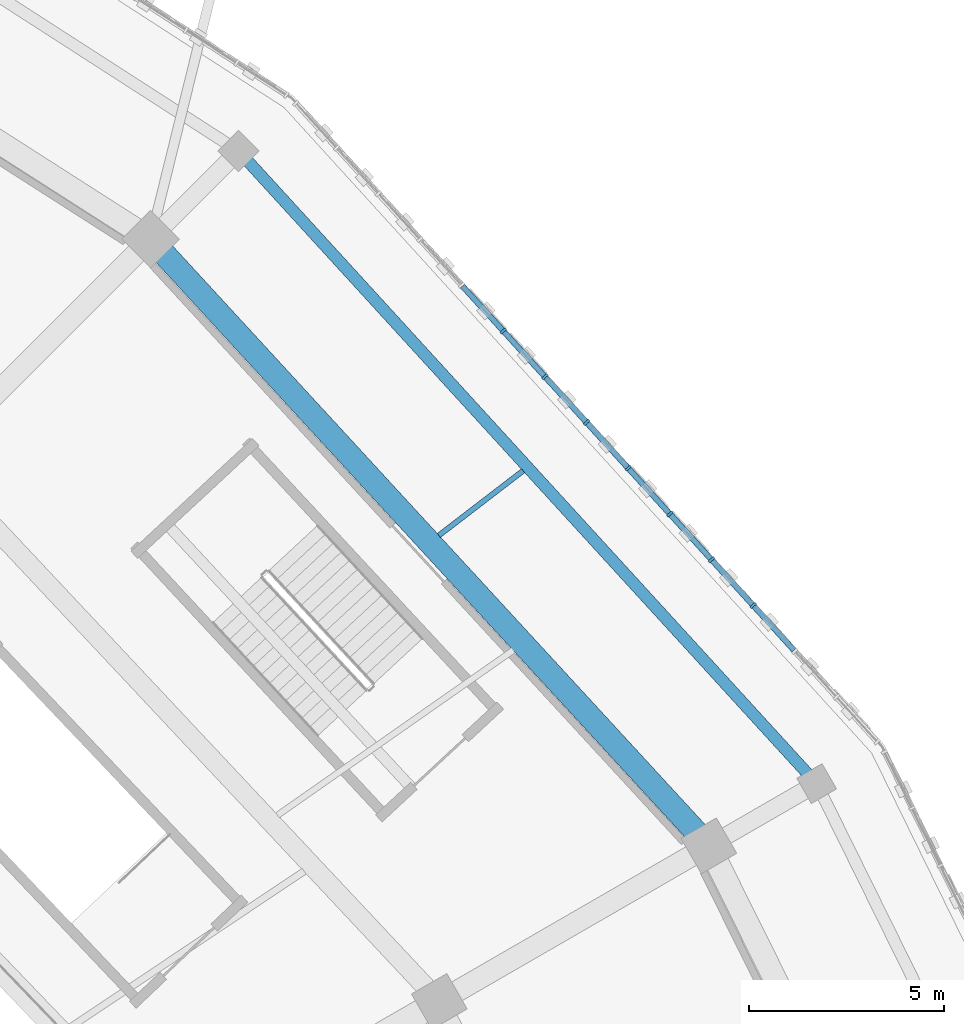
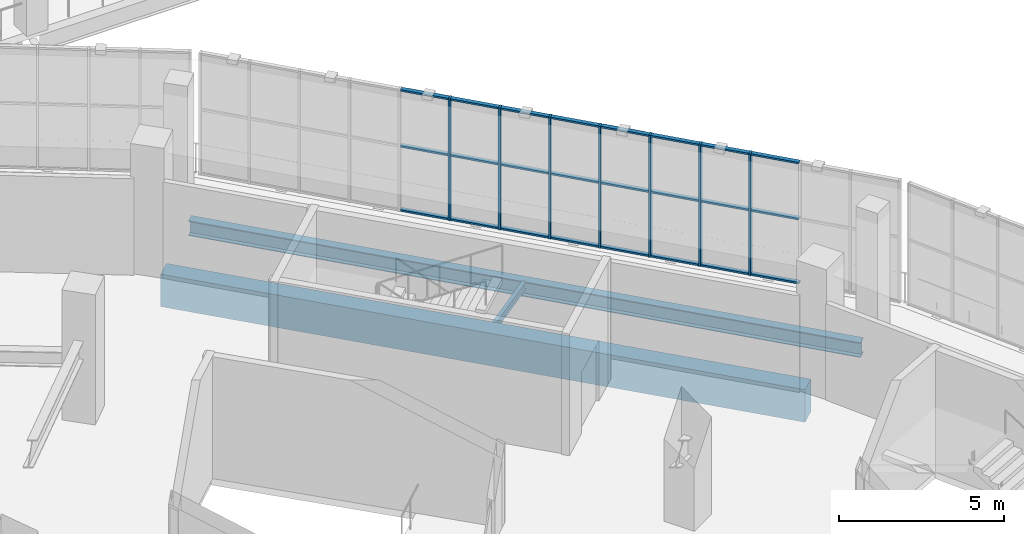
# One storey, part 64 of 179: 31 members, 3 beams, 1 element without a shape of its own.
"""IFC4 building model written with IfcOpenShell, lengths in metres."""

from ifc_helpers import new_model, si_unit, direction, frame, origin, origin_2d, place, context, subcontext, project, spatial, rectangle, i_section, extrude, material, material_profile, profile_set, type_object, element, aggregate, save


model = new_model("IFC4")

# Units and contexts
model_context = context("Model", 3, precision=1e-05, world=origin(), true_north=direction((0.0, 1.0)))
body_context = subcontext(model_context, "Body", "Model", "MODEL_VIEW")
ifc_project = project(units=[si_unit("LENGTHUNIT", "METRE"), si_unit("AREAUNIT", "SQUARE_METRE"), si_unit("VOLUMEUNIT", "CUBIC_METRE"), si_unit("PLANEANGLEUNIT", "RADIAN"), si_unit("MASSUNIT", "GRAM", prefix="KILO")], contexts=[model_context])

# Site, building, storey
site_placement = place(None, origin())
site = spatial("IfcSite", under=ifc_project, at=site_placement, CompositionType="ELEMENT")
building_placement = place(site_placement, origin())
building = spatial("IfcBuilding", under=site, at=building_placement, Name="Zevraka Park Crest Stadium", CompositionType="ELEMENT")
storey_placement = place(building_placement, frame((0.0, 0.0, 10.199951171875)))
storey = spatial("IfcBuildingStorey", under=building, at=storey_placement, Name="L02", CompositionType="ELEMENT", Elevation=10.199951171875)

# Curtain wall, members
ifc_material_1 = material(Name="Anodised architectural aluminium and laminated safety glass", Category="aluminium")
curtain_wall_type = type_object("IfcCurtainWallType", Name="CW08", PredefinedType="NOTDEFINED", material=ifc_material_1)
curtain_wall_placement = place(storey_placement, origin())
curtain_wall = element("IfcCurtainWall", 1, at=curtain_wall_placement, inside=storey, type_object=curtain_wall_type, Name="Unitised Ring Curtain Wall CW08 L02-02", PredefinedType="NOTDEFINED")
ifc_material_2 = material(Name="Anodised architectural aluminium", Category="aluminium")
ifc_material_profile_1 = material_profile(ifc_material_2, rectangle(XDim=0.179931640625, YDim=0.06494140625, at=origin_2d()), Name="ALU MULLION 180x65")
ifc_profile_set_1 = profile_set([ifc_material_profile_1], Name="Anodised architectural aluminium")
member_type_1 = type_object("IfcMemberType", Name="CM02", PredefinedType="MULLION", material=ifc_profile_set_1)
member_1_placement = place(storey_placement, frame((191.34033203125, 135.828125, 0.0), z_axis=(0.0, 0.0, 1.0), x_axis=(-0.739496877097, -0.673159987494, 0.0)))
member_1 = element("IfcMember", 2, at=member_1_placement, type_object=member_type_1, Name="CW08 mullion 4", PredefinedType="MULLION", context=body_context, shape_type="SweptSolid", body=[
    extrude(rectangle(XDim=0.179931640625, YDim=0.06494140625, at=origin_2d()), origin(), (0.0, 0.0, 1.0), 4.5),
])
member_2_placement = place(storey_placement, frame((190.269775390625, 137.00439453125, 0.0), z_axis=(0.0, 0.0, 1.0), x_axis=(-0.739496877097, -0.673159987494, 0.0)))
member_2 = element("IfcMember", 3, at=member_2_placement, type_object=member_type_1, Name="CW08 mullion 5", PredefinedType="MULLION", context=body_context, shape_type="SweptSolid", body=[
    extrude(rectangle(XDim=0.179931640625, YDim=0.06494140625, at=origin_2d()), origin(), (0.0, 0.0, 1.0), 4.5),
])
member_3_placement = place(storey_placement, frame((189.19921875, 138.180419921875, 0.0), z_axis=(0.0, 0.0, 1.0), x_axis=(-0.739496877097, -0.673159987494, 0.0)))
member_3 = element("IfcMember", 4, at=member_3_placement, type_object=member_type_1, Name="CW08 mullion 6", PredefinedType="MULLION", context=body_context, shape_type="SweptSolid", body=[
    extrude(rectangle(XDim=0.179931640625, YDim=0.06494140625, at=origin_2d()), origin(), (0.0, 0.0, 1.0), 4.5),
])
member_4_placement = place(storey_placement, frame((188.128662109375, 139.3564453125, 0.0), z_axis=(0.0, 0.0, 1.0), x_axis=(-0.739496877097, -0.673159987494, 0.0)))
member_4 = element("IfcMember", 5, at=member_4_placement, type_object=member_type_1, Name="CW08 mullion 7", PredefinedType="MULLION", context=body_context, shape_type="SweptSolid", body=[
    extrude(rectangle(XDim=0.179931640625, YDim=0.06494140625, at=origin_2d()), origin(), (0.0, 0.0, 1.0), 4.5),
])
member_5_placement = place(storey_placement, frame((187.05810546875, 140.532470703125, 0.0), z_axis=(0.0, 0.0, 1.0), x_axis=(-0.739496877097, -0.673159987494, 0.0)))
member_5 = element("IfcMember", 6, at=member_5_placement, type_object=member_type_1, Name="CW08 mullion 8", PredefinedType="MULLION", context=body_context, shape_type="SweptSolid", body=[
    extrude(rectangle(XDim=0.179931640625, YDim=0.06494140625, at=origin_2d()), origin(), (0.0, 0.0, 1.0), 4.5),
])
member_6_placement = place(storey_placement, frame((185.987548828125, 141.70849609375, 0.0), z_axis=(0.0, 0.0, 1.0), x_axis=(-0.739496877097, -0.673159987494, 0.0)))
member_6 = element("IfcMember", 7, at=member_6_placement, type_object=member_type_1, Name="CW08 mullion 9", PredefinedType="MULLION", context=body_context, shape_type="SweptSolid", body=[
    extrude(rectangle(XDim=0.179931640625, YDim=0.06494140625, at=origin_2d()), origin(), (0.0, 0.0, 1.0), 4.5),
])
member_7_placement = place(storey_placement, frame((184.916748046875, 142.884521484375, 0.0), z_axis=(0.0, 0.0, 1.0), x_axis=(-0.739496877097, -0.673159987494, 0.0)))
member_7 = element("IfcMember", 8, at=member_7_placement, type_object=member_type_1, Name="CW08 mullion 10", PredefinedType="MULLION", context=body_context, shape_type="SweptSolid", body=[
    extrude(rectangle(XDim=0.179931640625, YDim=0.06494140625, at=origin_2d()), origin(), (0.0, 0.0, 1.0), 4.5),
])
ifc_material_3 = material(Name="Anodised architectural aluminium", Category="aluminium")
ifc_material_profile_2 = material_profile(ifc_material_3, rectangle(XDim=0.139892578125, YDim=0.06494140625, at=origin_2d()), Name="ALU TRANSOM 140x65")
ifc_profile_set_2 = profile_set([ifc_material_profile_2], Name="Anodised architectural aluminium")
member_type_2 = type_object("IfcMemberType", Name="CT02", PredefinedType="USERDEFINED", material=ifc_profile_set_2)
member_8_placement = place(storey_placement, frame((192.388916015625, 134.67626953125, 0.032470703125), z_axis=(-0.673198421242, 0.739461889239, 0.0), x_axis=(-0.739461889239, -0.673198421242, 0.0)))
member_8 = element("IfcMember", 9, at=member_8_placement, type_object=member_type_2, Name="CW08 transom 3.1", ObjectType="TRANSOM", PredefinedType="USERDEFINED", context=body_context, shape_type="SweptSolid", body=[
    extrude(rectangle(XDim=0.139892578125, YDim=0.06494140625, at=origin_2d()), origin(), (0.0, 0.0, 1.0), 1.525390625),
])
member_9_placement = place(storey_placement, frame((192.388916015625, 134.67626953125, 2.400146484375), z_axis=(-0.673198421242, 0.739461889239, 0.0), x_axis=(-0.739461889239, -0.673198421242, 0.0)))
member_9 = element("IfcMember", 10, at=member_9_placement, type_object=member_type_2, Name="CW08 transom 3.2", ObjectType="TRANSOM", PredefinedType="USERDEFINED", context=body_context, shape_type="SweptSolid", body=[
    extrude(rectangle(XDim=0.139892578125, YDim=0.06494140625, at=origin_2d()), origin(), (0.0, 0.0, 1.0), 1.525390625),
])
member_10_placement = place(storey_placement, frame((192.388916015625, 134.67626953125, 4.467529296875), z_axis=(-0.673198421242, 0.739461889239, 0.0), x_axis=(-0.739461889239, -0.673198421242, 0.0)))
member_10 = element("IfcMember", 11, at=member_10_placement, type_object=member_type_2, Name="CW08 transom 3.3", ObjectType="TRANSOM", PredefinedType="USERDEFINED", context=body_context, shape_type="SweptSolid", body=[
    extrude(rectangle(XDim=0.139892578125, YDim=0.06494140625, at=origin_2d()), origin(), (0.0, 0.0, 1.0), 1.525390625),
])
member_11_placement = place(storey_placement, frame((191.318359375, 135.852294921875, 0.032470703125), z_axis=(-0.673198421242, 0.739461889239, 0.0), x_axis=(-0.739461889239, -0.673198421242, 0.0)))
member_11 = element("IfcMember", 12, at=member_11_placement, type_object=member_type_2, Name="CW08 transom 4.1", ObjectType="TRANSOM", PredefinedType="USERDEFINED", context=body_context, shape_type="SweptSolid", body=[
    extrude(rectangle(XDim=0.139892578125, YDim=0.06494140625, at=origin_2d()), origin(), (0.0, 0.0, 1.0), 1.525390625),
])
member_12_placement = place(storey_placement, frame((191.318359375, 135.852294921875, 2.400146484375), z_axis=(-0.673198421242, 0.739461889239, 0.0), x_axis=(-0.739461889239, -0.673198421242, 0.0)))
member_12 = element("IfcMember", 13, at=member_12_placement, type_object=member_type_2, Name="CW08 transom 4.2", ObjectType="TRANSOM", PredefinedType="USERDEFINED", context=body_context, shape_type="SweptSolid", body=[
    extrude(rectangle(XDim=0.139892578125, YDim=0.06494140625, at=origin_2d()), origin(), (0.0, 0.0, 1.0), 1.525390625),
])
member_13_placement = place(storey_placement, frame((191.318359375, 135.852294921875, 4.467529296875), z_axis=(-0.673198421242, 0.739461889239, 0.0), x_axis=(-0.739461889239, -0.673198421242, 0.0)))
member_13 = element("IfcMember", 14, at=member_13_placement, type_object=member_type_2, Name="CW08 transom 4.3", ObjectType="TRANSOM", PredefinedType="USERDEFINED", context=body_context, shape_type="SweptSolid", body=[
    extrude(rectangle(XDim=0.139892578125, YDim=0.06494140625, at=origin_2d()), origin(), (0.0, 0.0, 1.0), 1.525390625),
])
member_14_placement = place(storey_placement, frame((190.247802734375, 137.0283203125, 0.032470703125), z_axis=(-0.673198421242, 0.739461889239, 0.0), x_axis=(-0.739461889239, -0.673198421242, 0.0)))
member_14 = element("IfcMember", 15, at=member_14_placement, type_object=member_type_2, Name="CW08 transom 5.1", ObjectType="TRANSOM", PredefinedType="USERDEFINED", context=body_context, shape_type="SweptSolid", body=[
    extrude(rectangle(XDim=0.139892578125, YDim=0.06494140625, at=origin_2d()), origin(), (0.0, 0.0, 1.0), 1.525390625),
])
member_15_placement = place(storey_placement, frame((190.247802734375, 137.0283203125, 2.400146484375), z_axis=(-0.673198421242, 0.739461889239, 0.0), x_axis=(-0.739461889239, -0.673198421242, 0.0)))
member_15 = element("IfcMember", 16, at=member_15_placement, type_object=member_type_2, Name="CW08 transom 5.2", ObjectType="TRANSOM", PredefinedType="USERDEFINED", context=body_context, shape_type="SweptSolid", body=[
    extrude(rectangle(XDim=0.139892578125, YDim=0.06494140625, at=origin_2d()), origin(), (0.0, 0.0, 1.0), 1.525390625),
])
member_16_placement = place(storey_placement, frame((190.247802734375, 137.0283203125, 4.467529296875), z_axis=(-0.673198421242, 0.739461889239, 0.0), x_axis=(-0.739461889239, -0.673198421242, 0.0)))
member_16 = element("IfcMember", 17, at=member_16_placement, type_object=member_type_2, Name="CW08 transom 5.3", ObjectType="TRANSOM", PredefinedType="USERDEFINED", context=body_context, shape_type="SweptSolid", body=[
    extrude(rectangle(XDim=0.139892578125, YDim=0.06494140625, at=origin_2d()), origin(), (0.0, 0.0, 1.0), 1.525390625),
])
member_17_placement = place(storey_placement, frame((189.17724609375, 138.204345703125, 0.032470703125), z_axis=(-0.673198421242, 0.739461889239, 0.0), x_axis=(-0.739461889239, -0.673198421242, 0.0)))
member_17 = element("IfcMember", 18, at=member_17_placement, type_object=member_type_2, Name="CW08 transom 6.1", ObjectType="TRANSOM", PredefinedType="USERDEFINED", context=body_context, shape_type="SweptSolid", body=[
    extrude(rectangle(XDim=0.139892578125, YDim=0.06494140625, at=origin_2d()), origin(), (0.0, 0.0, 1.0), 1.525390625),
])
member_18_placement = place(storey_placement, frame((189.17724609375, 138.204345703125, 2.400146484375), z_axis=(-0.673198421242, 0.739461889239, 0.0), x_axis=(-0.739461889239, -0.673198421242, 0.0)))
member_18 = element("IfcMember", 19, at=member_18_placement, type_object=member_type_2, Name="CW08 transom 6.2", ObjectType="TRANSOM", PredefinedType="USERDEFINED", context=body_context, shape_type="SweptSolid", body=[
    extrude(rectangle(XDim=0.139892578125, YDim=0.06494140625, at=origin_2d()), origin(), (0.0, 0.0, 1.0), 1.525390625),
])
member_19_placement = place(storey_placement, frame((189.17724609375, 138.204345703125, 4.467529296875), z_axis=(-0.673198421242, 0.739461889239, 0.0), x_axis=(-0.739461889239, -0.673198421242, 0.0)))
member_19 = element("IfcMember", 20, at=member_19_placement, type_object=member_type_2, Name="CW08 transom 6.3", ObjectType="TRANSOM", PredefinedType="USERDEFINED", context=body_context, shape_type="SweptSolid", body=[
    extrude(rectangle(XDim=0.139892578125, YDim=0.06494140625, at=origin_2d()), origin(), (0.0, 0.0, 1.0), 1.525390625),
])
member_20_placement = place(storey_placement, frame((188.106689453125, 139.38037109375, 0.032470703125), z_axis=(-0.673118749814, 0.739534413431, 0.0), x_axis=(-0.739534413431, -0.673118749814, 0.0)))
member_20 = element("IfcMember", 21, at=member_20_placement, type_object=member_type_2, Name="CW08 transom 7.1", ObjectType="TRANSOM", PredefinedType="USERDEFINED", context=body_context, shape_type="SweptSolid", body=[
    extrude(rectangle(XDim=0.139892578125, YDim=0.06494140625, at=origin_2d()), origin(), (0.0, 0.0, 1.0), 1.525634765625),
])
member_21_placement = place(storey_placement, frame((188.106689453125, 139.38037109375, 2.400146484375), z_axis=(-0.673118749814, 0.739534413431, 0.0), x_axis=(-0.739534413431, -0.673118749814, 0.0)))
member_21 = element("IfcMember", 22, at=member_21_placement, type_object=member_type_2, Name="CW08 transom 7.2", ObjectType="TRANSOM", PredefinedType="USERDEFINED", context=body_context, shape_type="SweptSolid", body=[
    extrude(rectangle(XDim=0.139892578125, YDim=0.06494140625, at=origin_2d()), origin(), (0.0, 0.0, 1.0), 1.525634765625),
])
member_22_placement = place(storey_placement, frame((188.106689453125, 139.38037109375, 4.467529296875), z_axis=(-0.673118749814, 0.739534413431, 0.0), x_axis=(-0.739534413431, -0.673118749814, 0.0)))
member_22 = element("IfcMember", 23, at=member_22_placement, type_object=member_type_2, Name="CW08 transom 7.3", ObjectType="TRANSOM", PredefinedType="USERDEFINED", context=body_context, shape_type="SweptSolid", body=[
    extrude(rectangle(XDim=0.139892578125, YDim=0.06494140625, at=origin_2d()), origin(), (0.0, 0.0, 1.0), 1.525634765625),
])
member_23_placement = place(storey_placement, frame((187.0361328125, 140.556640625, 0.032470703125), z_axis=(-0.673198421242, 0.739461889239, 0.0), x_axis=(-0.739461889239, -0.673198421242, 0.0)))
member_23 = element("IfcMember", 24, at=member_23_placement, type_object=member_type_2, Name="CW08 transom 8.1", ObjectType="TRANSOM", PredefinedType="USERDEFINED", context=body_context, shape_type="SweptSolid", body=[
    extrude(rectangle(XDim=0.139892578125, YDim=0.06494140625, at=origin_2d()), origin(), (0.0, 0.0, 1.0), 1.525390625),
])
member_24_placement = place(storey_placement, frame((187.0361328125, 140.556640625, 2.400146484375), z_axis=(-0.673198421242, 0.739461889239, 0.0), x_axis=(-0.739461889239, -0.673198421242, 0.0)))
member_24 = element("IfcMember", 25, at=member_24_placement, type_object=member_type_2, Name="CW08 transom 8.2", ObjectType="TRANSOM", PredefinedType="USERDEFINED", context=body_context, shape_type="SweptSolid", body=[
    extrude(rectangle(XDim=0.139892578125, YDim=0.06494140625, at=origin_2d()), origin(), (0.0, 0.0, 1.0), 1.525390625),
])
member_25_placement = place(storey_placement, frame((187.0361328125, 140.556640625, 4.467529296875), z_axis=(-0.673198421242, 0.739461889239, 0.0), x_axis=(-0.739461889239, -0.673198421242, 0.0)))
member_25 = element("IfcMember", 26, at=member_25_placement, type_object=member_type_2, Name="CW08 transom 8.3", ObjectType="TRANSOM", PredefinedType="USERDEFINED", context=body_context, shape_type="SweptSolid", body=[
    extrude(rectangle(XDim=0.139892578125, YDim=0.06494140625, at=origin_2d()), origin(), (0.0, 0.0, 1.0), 1.525390625),
])
member_26_placement = place(storey_placement, frame((185.965576171875, 141.732666015625, 0.032470703125), z_axis=(-0.673198421242, 0.739461889239, 0.0), x_axis=(-0.739461889239, -0.673198421242, 0.0)))
member_26 = element("IfcMember", 27, at=member_26_placement, type_object=member_type_2, Name="CW08 transom 9.1", ObjectType="TRANSOM", PredefinedType="USERDEFINED", context=body_context, shape_type="SweptSolid", body=[
    extrude(rectangle(XDim=0.139892578125, YDim=0.06494140625, at=origin_2d()), origin(), (0.0, 0.0, 1.0), 1.525390625),
])
member_27_placement = place(storey_placement, frame((185.965576171875, 141.732666015625, 2.400146484375), z_axis=(-0.673198421242, 0.739461889239, 0.0), x_axis=(-0.739461889239, -0.673198421242, 0.0)))
member_27 = element("IfcMember", 28, at=member_27_placement, type_object=member_type_2, Name="CW08 transom 9.2", ObjectType="TRANSOM", PredefinedType="USERDEFINED", context=body_context, shape_type="SweptSolid", body=[
    extrude(rectangle(XDim=0.139892578125, YDim=0.06494140625, at=origin_2d()), origin(), (0.0, 0.0, 1.0), 1.525390625),
])
member_28_placement = place(storey_placement, frame((185.965576171875, 141.732666015625, 4.467529296875), z_axis=(-0.673198421242, 0.739461889239, 0.0), x_axis=(-0.739461889239, -0.673198421242, 0.0)))
member_28 = element("IfcMember", 29, at=member_28_placement, type_object=member_type_2, Name="CW08 transom 9.3", ObjectType="TRANSOM", PredefinedType="USERDEFINED", context=body_context, shape_type="SweptSolid", body=[
    extrude(rectangle(XDim=0.139892578125, YDim=0.06494140625, at=origin_2d()), origin(), (0.0, 0.0, 1.0), 1.525390625),
])
member_29_placement = place(storey_placement, frame((184.89501953125, 142.90869140625, 0.032470703125), z_axis=(-0.673198421242, 0.739461889239, 0.0), x_axis=(-0.739461889239, -0.673198421242, 0.0)))
member_29 = element("IfcMember", 30, at=member_29_placement, type_object=member_type_2, Name="CW08 transom 10.1", ObjectType="TRANSOM", PredefinedType="USERDEFINED", context=body_context, shape_type="SweptSolid", body=[
    extrude(rectangle(XDim=0.139892578125, YDim=0.06494140625, at=origin_2d()), origin(), (0.0, 0.0, 1.0), 1.525390625),
])
member_30_placement = place(storey_placement, frame((184.89501953125, 142.90869140625, 2.400146484375), z_axis=(-0.673198421242, 0.739461889239, 0.0), x_axis=(-0.739461889239, -0.673198421242, 0.0)))
member_30 = element("IfcMember", 31, at=member_30_placement, type_object=member_type_2, Name="CW08 transom 10.2", ObjectType="TRANSOM", PredefinedType="USERDEFINED", context=body_context, shape_type="SweptSolid", body=[
    extrude(rectangle(XDim=0.139892578125, YDim=0.06494140625, at=origin_2d()), origin(), (0.0, 0.0, 1.0), 1.525390625),
])
member_31_placement = place(storey_placement, frame((184.89501953125, 142.90869140625, 4.467529296875), z_axis=(-0.673198421242, 0.739461889239, 0.0), x_axis=(-0.739461889239, -0.673198421242, 0.0)))
member_31 = element("IfcMember", 32, at=member_31_placement, type_object=member_type_2, Name="CW08 transom 10.3", ObjectType="TRANSOM", PredefinedType="USERDEFINED", context=body_context, shape_type="SweptSolid", body=[
    extrude(rectangle(XDim=0.139892578125, YDim=0.06494140625, at=origin_2d()), origin(), (0.0, 0.0, 1.0), 1.525390625),
])
aggregate(curtain_wall, [member_1, member_2, member_3, member_4, member_5, member_6, member_7, member_8, member_9, member_10, member_11, member_12, member_13, member_14, member_15, member_16, member_17, member_18, member_19, member_20, member_21, member_22, member_23, member_24, member_25, member_26, member_27, member_28, member_29, member_30, member_31])

# Beams
ifc_material_4 = material(Name="Concrete C40/50", Category="concrete")
ifc_material_profile_3 = material_profile(ifc_material_4, rectangle(XDim=0.60009765625, YDim=1.199951171875, at=origin_2d()), Name="RC 1200x600")
ifc_profile_set_3 = profile_set([ifc_material_profile_3], Name="Concrete C40/50")
beam_type_1 = type_object("IfcBeamType", Name="RB01", PredefinedType="BEAM", material=ifc_profile_set_3)
beam_1_placement = place(storey_placement, frame((189.945068359375, 129.929931640625, -0.60986328125), z_axis=(-0.677158252403, 0.735837414924, 0.0), x_axis=(-0.735837414924, -0.677158252403, 0.0)))
element("IfcBeam", 33, at=beam_1_placement, inside=storey, type_object=beam_type_1, Name="Ring Beam RB01 L02-D-02", PredefinedType="BEAM", context=body_context, shape_type="SweptSolid", body=[
    extrude(rectangle(XDim=0.60009765625, YDim=1.199951171875, at=origin_2d()), origin(), (0.0, 0.0, 1.0), 20.4326171875),
])
ifc_material_5 = material(Name="Steel S355", Category="steel")
ifc_material_profile_4 = material_profile(ifc_material_5, i_section(OverallWidth=0.300048828125, OverallDepth=0.550048828125, WebThickness=0.014892578125, FlangeThickness=0.029052734375, at=origin_2d()), Name="HEB 550")
ifc_profile_set_4 = profile_set([ifc_material_profile_4], Name="Steel S355")
beam_type_2 = type_object("IfcBeamType", Name="RB04", PredefinedType="BEAM", material=ifc_profile_set_4)
beam_2_placement = place(storey_placement, frame((192.737060546875, 131.508056640625, -0.5849609375), z_axis=(-0.674624342029, 0.738161227065, 0.0), x_axis=(-0.738161227065, -0.674624342029, 0.0)))
element("IfcBeam", 34, at=beam_2_placement, inside=storey, type_object=beam_type_2, Name="Ring Beam RB04 L02-E-02", PredefinedType="BEAM", context=body_context, shape_type="SweptSolid", body=[
    extrude(i_section(OverallWidth=0.300048828125, OverallDepth=0.550048828125, WebThickness=0.014892578125, FlangeThickness=0.029052734375, at=origin_2d()), origin(), (0.0, 0.0, 1.0), 21.325927734375),
])
ifc_material_6 = material(Name="Steel S355", Category="steel")
ifc_material_profile_5 = material_profile(ifc_material_6, i_section(OverallWidth=0.135009765625, OverallDepth=0.27001953125, WebThickness=0.006591796875, FlangeThickness=0.01025390625, at=origin_2d()), Name="IPE 270")
ifc_profile_set_5 = profile_set([ifc_material_profile_5], Name="Steel S355")
beam_type_3 = type_object("IfcBeamType", Name="SJ07", PredefinedType="JOIST", material=ifc_profile_set_5)
beam_3_placement = place(storey_placement, frame((183.260986328125, 137.626953125, -0.4228515625), z_axis=(0.793128631587, 0.609054163238, 0.0), x_axis=(-0.609054163238, 0.793128631587, 0.0)))
element("IfcBeam", 35, at=beam_3_placement, inside=storey, type_object=beam_type_3, Name="Floor Joist SJ07 L02-DE-02-1", PredefinedType="JOIST", context=body_context, shape_type="SweptSolid", body=[
    extrude(i_section(OverallWidth=0.135009765625, OverallDepth=0.27001953125, WebThickness=0.006591796875, FlangeThickness=0.01025390625, at=origin_2d()), origin(), (0.0, 0.0, 1.0), 2.732177734375),
])

save(model, "model.ifc")
